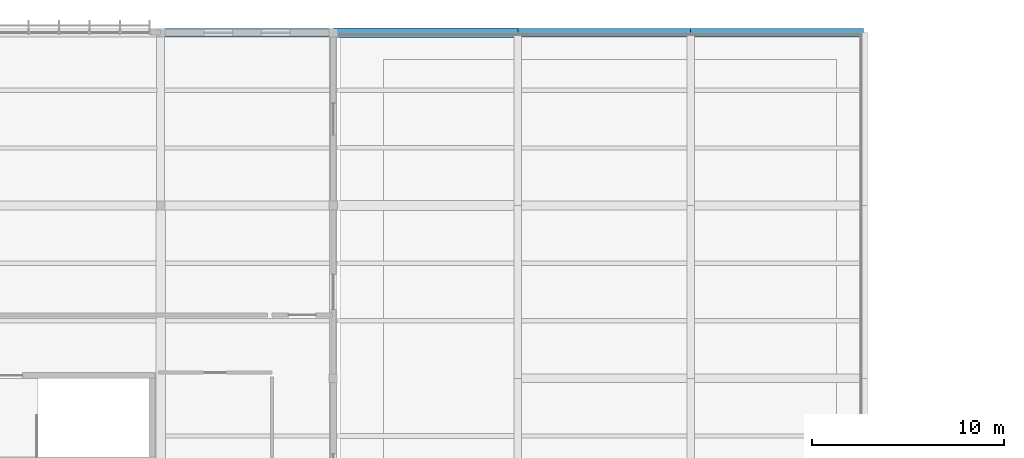
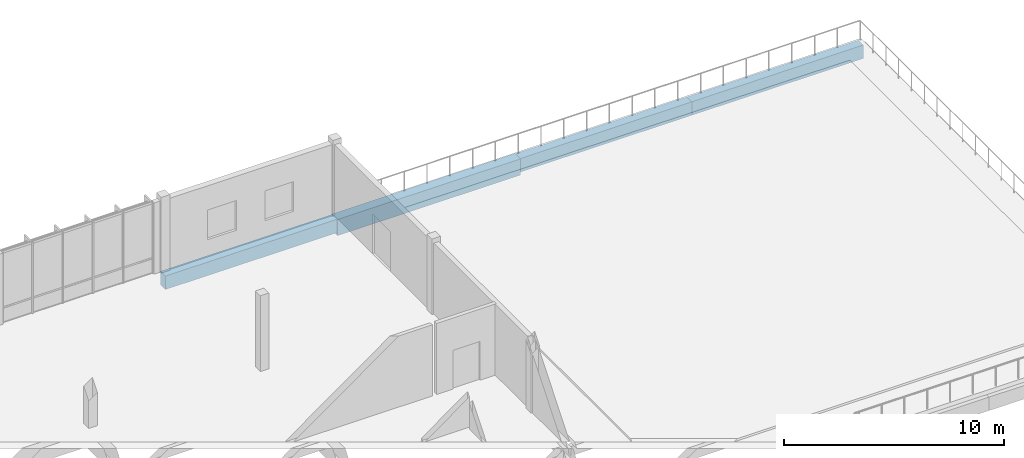
# One storey, part 70 of 94: 4 beams.
"""IFC4 building model written with IfcOpenShell, lengths in metres."""

from ifc_helpers import new_model, si_unit, direction, frame, origin, origin_2d, place, context, subcontext, project, spatial, rectangle, extrude, material, material_profile, profile_set, type_object, element, save


model = new_model("IFC4")

# Units and contexts
model_context = context("Model", 3, precision=1e-05, world=origin(), true_north=direction((0.0, 1.0)))
body_context = subcontext(model_context, "Body", "Model", "MODEL_VIEW")
ifc_project = project(units=[si_unit("LENGTHUNIT", "METRE"), si_unit("AREAUNIT", "SQUARE_METRE"), si_unit("VOLUMEUNIT", "CUBIC_METRE"), si_unit("PLANEANGLEUNIT", "RADIAN"), si_unit("MASSUNIT", "GRAM", prefix="KILO")], contexts=[model_context])

# Site, building, storey
site_placement = place(None, origin())
site = spatial("IfcSite", under=ifc_project, at=site_placement, CompositionType="ELEMENT")
building_placement = place(site_placement, origin())
building = spatial("IfcBuilding", under=site, at=building_placement, Name="Chiffa Square Polytechnic", CompositionType="ELEMENT")
storey_placement = place(building_placement, frame((0.0, 0.0, 18.0)))
storey = spatial("IfcBuildingStorey", under=building, at=storey_placement, Name="L04", CompositionType="ELEMENT", Elevation=18.0)

# Beams
ifc_material_1 = material(Name="Concrete C35/45", Category="concrete")
ifc_material_profile_1 = material_profile(ifc_material_1, rectangle(XDim=0.449951171875, YDim=0.75, at=origin_2d()), Name="RC 450x750")
ifc_profile_set_1 = profile_set([ifc_material_profile_1], Name="Concrete C35/45")
beam_type_1 = type_object("IfcBeamType", Name="BM-RC-450X750", PredefinedType="BEAM", material=ifc_profile_set_1)
for number, where, z_axis, x_axis, name in (
    (1, (102.60009765625, 130.800048828125, -0.614990234375), (1.0, 0.0, 0.0), (0.0, 1.0, 0.0), "Primary floor girder BM-V5-L04-X-1026-1308"),
    (2, (121.199951171875, 130.800048828125, -0.614990234375), (1.0, 0.0, 0.0), (0.0, 1.0, 0.0), "Primary floor girder BM-V5-L04-X-1212-1308"),
    (3, (130.199951171875, 130.800048828125, -0.614990234375), (1.0, 0.0, 0.0), (0.0, 1.0, 0.0), "Primary floor girder BM-V5-L04-X-1302-1308"),
):
    element("IfcBeam", number, at=place(storey_placement, frame(where, z_axis=z_axis, x_axis=x_axis)), inside=storey, type_object=beam_type_1, Name=name, PredefinedType="BEAM", context=body_context, shape_type="SweptSolid", body=[
        extrude(rectangle(XDim=0.449951171875, YDim=0.75, at=origin_2d()), origin(), (0.0, 0.0, 1.0), 9.0),
    ])
ifc_material_2 = material(Name="Concrete C40/50", Category="concrete")
ifc_material_profile_2 = material_profile(ifc_material_2, rectangle(XDim=0.5, YDim=0.89990234375, at=origin_2d()), Name="RC 500x900")
ifc_profile_set_2 = profile_set([ifc_material_profile_2], Name="Concrete C40/50")
beam_type_2 = type_object("IfcBeamType", Name="BM-RC-500X900", PredefinedType="BEAM", material=ifc_profile_set_2)
beam_placement = place(storey_placement, frame((111.60009765625, 130.800048828125, -0.68994140625), z_axis=(1.0, 0.0, 0.0), x_axis=(0.0, 1.0, 0.0)))
element("IfcBeam", 4, at=beam_placement, inside=storey, type_object=beam_type_2, Name="Primary floor girder BM-V5-L04-X-1116-1308", PredefinedType="BEAM", context=body_context, shape_type="SweptSolid", body=[
    extrude(rectangle(XDim=0.5, YDim=0.89990234375, at=origin_2d()), origin(), (0.0, 0.0, 1.0), 9.599853515625),
])

save(model, "model.ifc")
